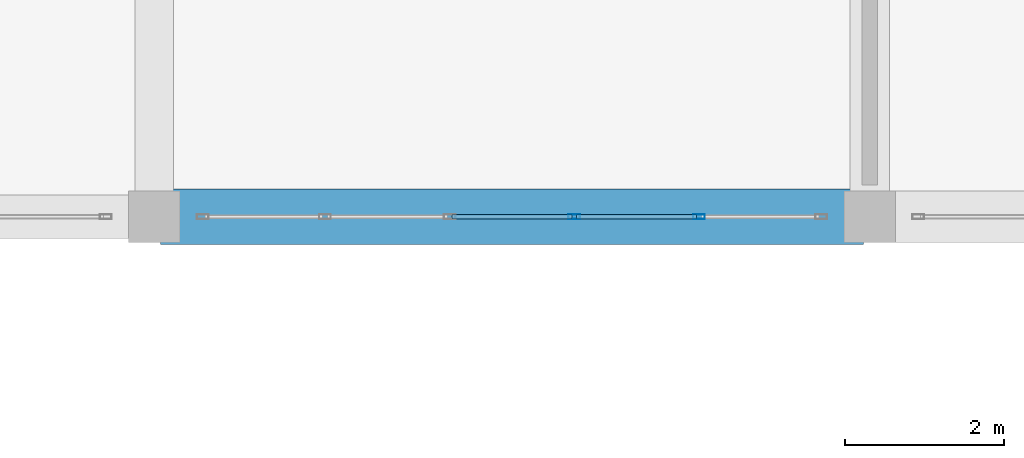
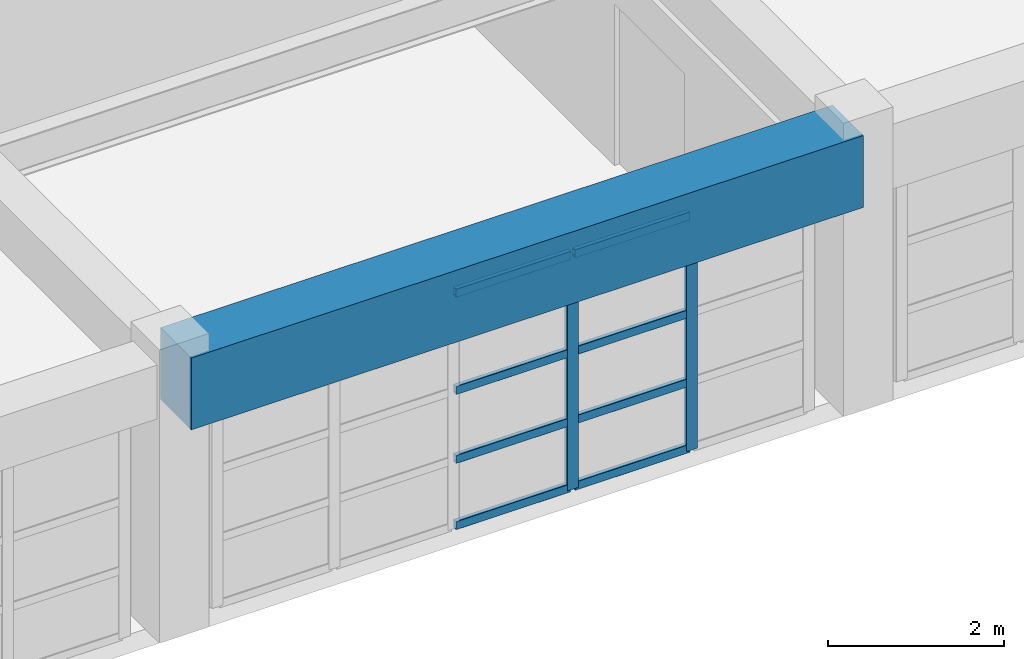
# One storey, part 28 of 130: 10 members, 1 beam, 1 element without a shape of its own.
"""IFC4 building model written with IfcOpenShell, lengths in metres."""

from ifc_helpers import new_model, si_unit, direction, frame, origin, origin_2d, place, context, subcontext, project, spatial, rectangle, hollow_rectangle, extrude, material, material_profile, profile_set, type_object, element, aggregate, save


model = new_model("IFC4")

# Units and contexts
model_context = context("Model", 3, precision=1e-05, world=origin(), true_north=direction((0.0, 1.0)))
body_context = subcontext(model_context, "Body", "Model", "MODEL_VIEW")
ifc_project = project(units=[si_unit("LENGTHUNIT", "METRE"), si_unit("AREAUNIT", "SQUARE_METRE"), si_unit("VOLUMEUNIT", "CUBIC_METRE"), si_unit("PLANEANGLEUNIT", "RADIAN"), si_unit("MASSUNIT", "GRAM", prefix="KILO")], contexts=[model_context])

# Site, building, storey
site_placement = place(None, origin())
site = spatial("IfcSite", under=ifc_project, at=site_placement, CompositionType="ELEMENT")
building_placement = place(site_placement, origin())
building = spatial("IfcBuilding", under=site, at=building_placement, Name="Miravela Opera House", CompositionType="ELEMENT")
storey_placement = place(building_placement, frame((0.0, 0.0, 9.52001953125)))
storey = spatial("IfcBuildingStorey", under=building, at=storey_placement, Name="L02", CompositionType="ELEMENT", Elevation=9.52001953125)

# Curtain wall, members
ifc_material_1 = material(Name="Anodised architectural bronze aluminium 6063-T6", Category="aluminium")
curtain_wall_type = type_object("IfcCurtainWallType", Name="ARC-CW-06", PredefinedType="NOTDEFINED", material=ifc_material_1)
curtain_wall_placement = place(storey_placement, origin())
curtain_wall = element("IfcCurtainWall", 1, at=curtain_wall_placement, inside=storey, type_object=curtain_wall_type, Name="Courtyard Arcade Curtain Wall CW-L02-140", PredefinedType="NOTDEFINED")
ifc_material_profile_1 = material_profile(ifc_material_1, hollow_rectangle(XDim=0.06005859375, YDim=0.14990234375, WallThickness=0.00390625, InnerFilletRadius=0.001953125, OuterFilletRadius=0.00390625, at=origin_2d()), Name="CWM-60X150")
ifc_profile_set_1 = profile_set([ifc_material_profile_1])
member_type_1 = type_object("IfcMemberType", Name="ARC-CWM-150", PredefinedType="MULLION", material=ifc_profile_set_1)
member_1_placement = place(storey_placement, frame((50.283935546875, 28.0, 0.0), z_axis=(0.0, 0.0, 1.0), x_axis=(0.0, 1.0, 0.0)))
member_1 = element("IfcMember", 2, at=member_1_placement, type_object=member_type_1, Name="CW-06 mullion 4", PredefinedType="MULLION", context=body_context, shape_type="SweptSolid", body=[
    extrude(hollow_rectangle(XDim=0.06005859375, YDim=0.14990234375, WallThickness=0.00390625, InnerFilletRadius=0.001953125, OuterFilletRadius=0.00390625, at=origin_2d()), origin(), (0.0, 0.0, 1.0), 3.2900390625),
])
member_2_placement = place(storey_placement, frame((51.85205078125, 28.0, 0.0), z_axis=(0.0, 0.0, 1.0), x_axis=(0.0, 1.0, 0.0)))
member_2 = element("IfcMember", 3, at=member_2_placement, type_object=member_type_1, Name="CW-06 mullion 5", PredefinedType="MULLION", context=body_context, shape_type="SweptSolid", body=[
    extrude(hollow_rectangle(XDim=0.06005859375, YDim=0.14990234375, WallThickness=0.00390625, InnerFilletRadius=0.001953125, OuterFilletRadius=0.00390625, at=origin_2d()), origin(), (0.0, 0.0, 1.0), 3.2900390625),
])
ifc_material_profile_2 = material_profile(ifc_material_1, hollow_rectangle(XDim=0.06005859375, YDim=0.114990234375, WallThickness=0.00390625, InnerFilletRadius=0.001953125, OuterFilletRadius=0.00390625, at=origin_2d()), Name="CWT-60X115")
ifc_profile_set_2 = profile_set([ifc_material_profile_2])
member_type_2 = type_object("IfcMemberType", Name="ARC-CWT-115", PredefinedType="USERDEFINED", material=ifc_profile_set_2)
member_3_placement = place(storey_placement, frame((48.74609375, 28.0, 0.030029296875), z_axis=(1.0, 0.0, 0.0), x_axis=(0.0, 1.0, 0.0)))
member_3 = element("IfcMember", 4, at=member_3_placement, type_object=member_type_2, Name="CW-06 transom 3.1", ObjectType="TRANSOM", PredefinedType="USERDEFINED", context=body_context, shape_type="SweptSolid", body=[
    extrude(hollow_rectangle(XDim=0.06005859375, YDim=0.114990234375, WallThickness=0.00390625, InnerFilletRadius=0.001953125, OuterFilletRadius=0.00390625, at=origin_2d()), origin(), (0.0, 0.0, 1.0), 1.5078125),
])
member_4_placement = place(storey_placement, frame((48.74609375, 28.0, 0.949951171875), z_axis=(1.0, 0.0, 0.0), x_axis=(0.0, 1.0, 0.0)))
member_4 = element("IfcMember", 5, at=member_4_placement, type_object=member_type_2, Name="CW-06 transom 3.2", ObjectType="TRANSOM", PredefinedType="USERDEFINED", context=body_context, shape_type="SweptSolid", body=[
    extrude(hollow_rectangle(XDim=0.06005859375, YDim=0.114990234375, WallThickness=0.00390625, InnerFilletRadius=0.001953125, OuterFilletRadius=0.00390625, at=origin_2d()), origin(), (0.0, 0.0, 1.0), 1.5078125),
])
member_5_placement = place(storey_placement, frame((48.74609375, 28.0, 1.908203125), z_axis=(1.0, 0.0, 0.0), x_axis=(0.0, 1.0, 0.0)))
member_5 = element("IfcMember", 6, at=member_5_placement, type_object=member_type_2, Name="CW-06 transom 3.3", ObjectType="TRANSOM", PredefinedType="USERDEFINED", context=body_context, shape_type="SweptSolid", body=[
    extrude(hollow_rectangle(XDim=0.06005859375, YDim=0.114990234375, WallThickness=0.00390625, InnerFilletRadius=0.001953125, OuterFilletRadius=0.00390625, at=origin_2d()), origin(), (0.0, 0.0, 1.0), 1.5078125),
])
member_6_placement = place(storey_placement, frame((48.74609375, 28.0, 3.260009765625), z_axis=(1.0, 0.0, 0.0), x_axis=(0.0, 1.0, 0.0)))
member_6 = element("IfcMember", 7, at=member_6_placement, type_object=member_type_2, Name="CW-06 transom 3.4", ObjectType="TRANSOM", PredefinedType="USERDEFINED", context=body_context, shape_type="SweptSolid", body=[
    extrude(hollow_rectangle(XDim=0.06005859375, YDim=0.114990234375, WallThickness=0.00390625, InnerFilletRadius=0.001953125, OuterFilletRadius=0.00390625, at=origin_2d()), origin(), (0.0, 0.0, 1.0), 1.5078125),
])
member_7_placement = place(storey_placement, frame((50.31396484375, 28.0, 0.030029296875), z_axis=(1.0, 0.0, 0.0), x_axis=(0.0, 1.0, 0.0)))
member_7 = element("IfcMember", 8, at=member_7_placement, type_object=member_type_2, Name="CW-06 transom 4.1", ObjectType="TRANSOM", PredefinedType="USERDEFINED", context=body_context, shape_type="SweptSolid", body=[
    extrude(hollow_rectangle(XDim=0.06005859375, YDim=0.114990234375, WallThickness=0.00390625, InnerFilletRadius=0.001953125, OuterFilletRadius=0.00390625, at=origin_2d()), origin(), (0.0, 0.0, 1.0), 1.508056640625),
])
member_8_placement = place(storey_placement, frame((50.31396484375, 28.0, 0.949951171875), z_axis=(1.0, 0.0, 0.0), x_axis=(0.0, 1.0, 0.0)))
member_8 = element("IfcMember", 9, at=member_8_placement, type_object=member_type_2, Name="CW-06 transom 4.2", ObjectType="TRANSOM", PredefinedType="USERDEFINED", context=body_context, shape_type="SweptSolid", body=[
    extrude(hollow_rectangle(XDim=0.06005859375, YDim=0.114990234375, WallThickness=0.00390625, InnerFilletRadius=0.001953125, OuterFilletRadius=0.00390625, at=origin_2d()), origin(), (0.0, 0.0, 1.0), 1.508056640625),
])
member_9_placement = place(storey_placement, frame((50.31396484375, 28.0, 1.908203125), z_axis=(1.0, 0.0, 0.0), x_axis=(0.0, 1.0, 0.0)))
member_9 = element("IfcMember", 10, at=member_9_placement, type_object=member_type_2, Name="CW-06 transom 4.3", ObjectType="TRANSOM", PredefinedType="USERDEFINED", context=body_context, shape_type="SweptSolid", body=[
    extrude(hollow_rectangle(XDim=0.06005859375, YDim=0.114990234375, WallThickness=0.00390625, InnerFilletRadius=0.001953125, OuterFilletRadius=0.00390625, at=origin_2d()), origin(), (0.0, 0.0, 1.0), 1.508056640625),
])
member_10_placement = place(storey_placement, frame((50.31396484375, 28.0, 3.260009765625), z_axis=(1.0, 0.0, 0.0), x_axis=(0.0, 1.0, 0.0)))
member_10 = element("IfcMember", 11, at=member_10_placement, type_object=member_type_2, Name="CW-06 transom 4.4", ObjectType="TRANSOM", PredefinedType="USERDEFINED", context=body_context, shape_type="SweptSolid", body=[
    extrude(hollow_rectangle(XDim=0.06005859375, YDim=0.114990234375, WallThickness=0.00390625, InnerFilletRadius=0.001953125, OuterFilletRadius=0.00390625, at=origin_2d()), origin(), (0.0, 0.0, 1.0), 1.508056640625),
])
aggregate(curtain_wall, [member_1, member_2, member_3, member_4, member_5, member_6, member_7, member_8, member_9, member_10])

# Beam
ifc_material_2 = material(Name="Concrete C40/50", Category="concrete")
ifc_material_profile_3 = material_profile(ifc_material_2, rectangle(XDim=0.699951171875, YDim=1.0, at=origin_2d()), Name="RC-BM-700X1000")
ifc_profile_set_3 = profile_set([ifc_material_profile_3])
beam_type = type_object("IfcBeamType", Name="STR-BM-RC700X1000", PredefinedType="BEAM", material=ifc_profile_set_3)
beam_placement = place(storey_placement, frame((45.080078125, 28.0, 3.340087890625), z_axis=(1.0, 0.0, 0.0), x_axis=(0.0, 1.0, 0.0)))
element("IfcBeam", 12, at=beam_placement, inside=storey, type_object=beam_type, Name="Floor Girder L02 6-7/D", PredefinedType="BEAM", context=body_context, shape_type="SweptSolid", body=[
    extrude(rectangle(XDim=0.699951171875, YDim=1.0, at=origin_2d()), origin(), (0.0, 0.0, 1.0), 8.83984375),
])

save(model, "model.ifc")
